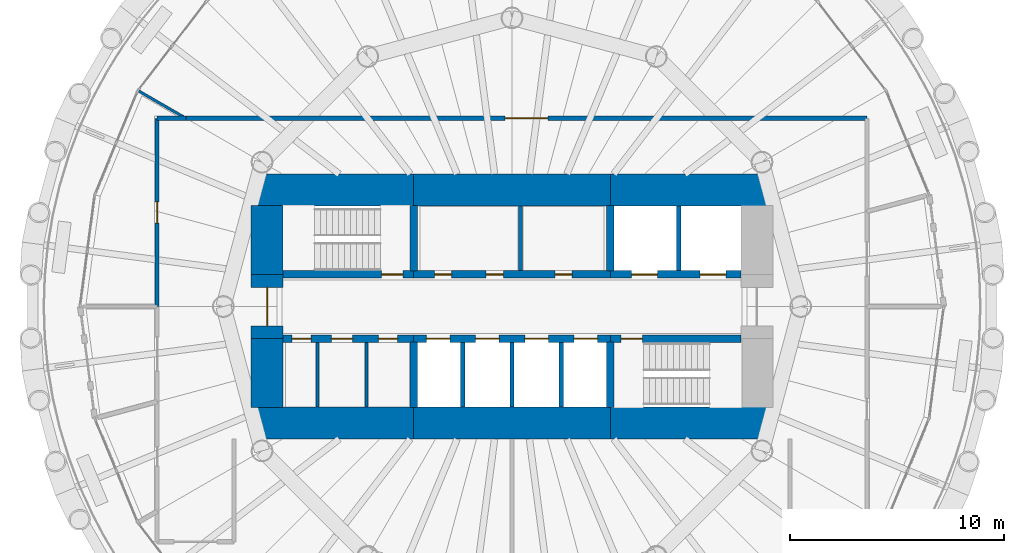
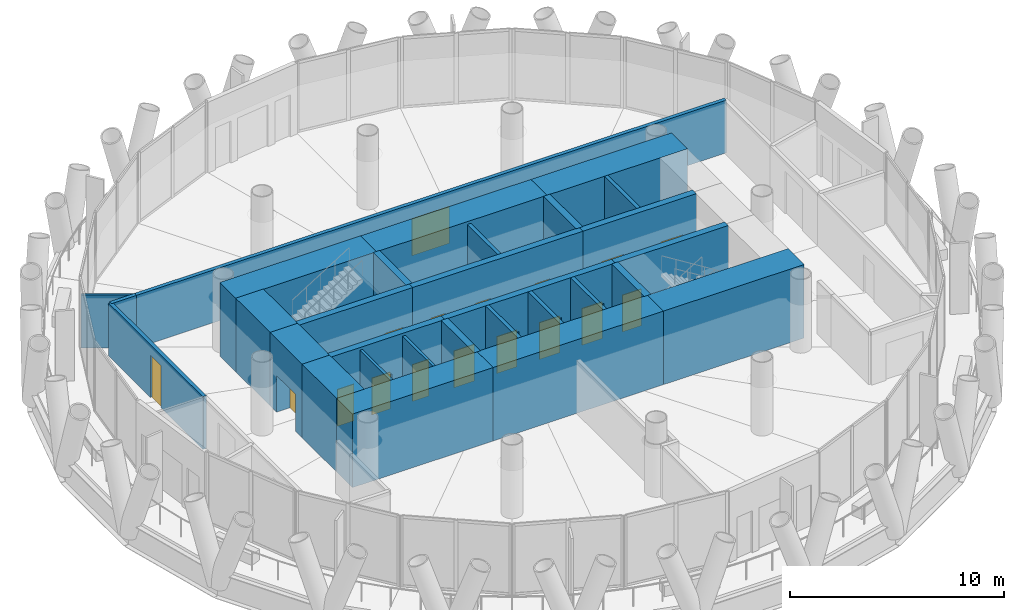
# One storey, part 9 of 13: 30 walls, 17 doors, 17 openings.
"""IFC4 building model written with IfcOpenShell, lengths in metres."""

from ifc_helpers import new_model, si_unit, direction, frame, frame_2d, origin, place, context, subcontext, project, spatial, rectangle, extrude, material, layer, layer_set, type_object, element, fill, save


model = new_model("IFC4")

# Units and contexts
model_context = context("Model", 3, precision=1e-05, world=origin(), true_north=direction((0.0, 1.0)))
body_context = subcontext(model_context, "Body", "Model", "MODEL_VIEW")
ifc_project = project(units=[si_unit("LENGTHUNIT", "METRE"), si_unit("AREAUNIT", "SQUARE_METRE"), si_unit("VOLUMEUNIT", "CUBIC_METRE"), si_unit("PLANEANGLEUNIT", "RADIAN"), si_unit("MASSUNIT", "GRAM", prefix="KILO")], contexts=[model_context])

# Site, building, storey
site_placement = place(None, origin())
site = spatial("IfcSite", under=ifc_project, at=site_placement, CompositionType="ELEMENT")
building_placement = place(site_placement, origin())
building = spatial("IfcBuilding", under=site, at=building_placement, Name="Qaws Media Tower", CompositionType="ELEMENT")
storey_placement = place(building_placement, frame((0.0, 0.0, 219.199951171875)))
storey = spatial("IfcBuildingStorey", under=building, at=storey_placement, Name="L50", CompositionType="ELEMENT", Elevation=219.199951171875)

# Wall, opening, door
ifc_material_1 = material(Name="Concrete C60/75", Category="concrete")
ifc_layer_1 = layer(ifc_material_1, 0.35009765625)
ifc_layer_set_1 = layer_set([ifc_layer_1], Name="Core inner wall 350")
wall_type_1 = type_object("IfcWallType", Name="Core inner wall 350", PredefinedType="SHEAR", material=ifc_layer_set_1)
wall_1_placement = place(storey_placement, frame((49.280029296875, 51.5, 0.0), z_axis=(0.0, 0.0, 1.0), x_axis=(1.0, 0.0, 0.0)))
wall_1 = element("IfcWall", 1, at=wall_1_placement, inside=storey, type_object=wall_type_1, Name="W301 SW5 core wall SPNW L50", PredefinedType="SHEAR", context=body_context, shape_type="SweptSolid", body=[
    extrude(rectangle(XDim=6.119873046875, YDim=0.35009765625, at=frame_2d((3.06005859375, 0.0))), origin(), (0.0, 0.0, 1.0), 4.199951171875),
])
opening_1_placement = place(wall_1_placement, frame((4.6201171875, 0.0, 0.0)))
opening_1 = element("IfcOpeningElement", 2, at=opening_1_placement, cuts=wall_1, Name="Opening D1", PredefinedType="OPENING", context=body_context, shape_type="SweptSolid", body=[
    extrude(rectangle(XDim=1.0, YDim=2.10009765625, at=frame_2d((0.5, 1.050048828125))), frame((0.0, 0.18505859375, 0.0), z_axis=(0.0, -1.0, 0.0), x_axis=(1.0, 0.0, 0.0)), (0.0, 0.0, 1.0), 0.3701171875),
])
ifc_material_2 = material(Name="Steel, fire rated", Category="steel")
door_type_1 = type_object("IfcDoorType", Name="Stair door 1000 FD120", OperationType="SINGLE_SWING_LEFT", PredefinedType="DOOR", material=ifc_material_2)
door_1_placement = place(opening_1_placement, origin())
door_1 = element("IfcDoor", 3, at=door_1_placement, inside=storey, type_object=door_type_1, Name="D1 stair S1 door L50 in wall W301", OperationType="SINGLE_SWING_LEFT", OverallHeight=2.10009765625, OverallWidth=1.0, PredefinedType="DOOR", context=body_context, shape_type="SweptSolid", body=[
    extrude(rectangle(XDim=1.0, YDim=2.10009765625, at=frame_2d((0.5, 1.050048828125))), frame((0.0, 0.02490234375, 0.0), z_axis=(0.0, -1.0, 0.0), x_axis=(1.0, 0.0, 0.0)), (0.0, 0.0, 1.0), 0.050048828125),
])
fill(opening_1, door_1)

# Wall, openings, doors
wall_2_placement = place(storey_placement, frame((55.39990234375, 51.5, 0.0), z_axis=(0.0, 0.0, 1.0), x_axis=(1.0, 0.0, 0.0)))
wall_2 = element("IfcWall", 4, at=wall_2_placement, inside=storey, type_object=wall_type_1, Name="W304 SW5 core wall SPN L50", PredefinedType="SHEAR", context=body_context, shape_type="SweptSolid", body=[
    extrude(rectangle(XDim=9.2001953125, YDim=0.35009765625, at=frame_2d((4.60009765625, 0.0))), origin(), (0.0, 0.0, 1.0), 4.199951171875),
])
opening_2_placement = place(wall_2_placement, frame((0.981689453125, 0.0, 0.0)))
opening_2 = element("IfcOpeningElement", 5, at=opening_2_placement, cuts=wall_2, Name="Opening D23", PredefinedType="OPENING", context=body_context, shape_type="SweptSolid", body=[
    extrude(rectangle(XDim=0.800048828125, YDim=2.10009765625, at=frame_2d((0.39990234375, 1.050048828125))), frame((0.0, 0.18505859375, 0.0), z_axis=(0.0, -1.0, 0.0), x_axis=(1.0, 0.0, 0.0)), (0.0, 0.0, 1.0), 0.3701171875),
])
opening_3_placement = place(wall_2_placement, frame((3.3955078125, 0.0, 0.0)))
opening_3 = element("IfcOpeningElement", 6, at=opening_3_placement, cuts=wall_2, Name="Opening D23", PredefinedType="OPENING", context=body_context, shape_type="SweptSolid", body=[
    extrude(rectangle(XDim=0.800048828125, YDim=2.10009765625, at=frame_2d((0.39990234375, 1.050048828125))), frame((0.0, 0.18505859375, 0.0), z_axis=(0.0, -1.0, 0.0), x_axis=(1.0, 0.0, 0.0)), (0.0, 0.0, 1.0), 0.3701171875),
])
opening_4_placement = place(wall_2_placement, frame((6.613525390625, 0.0, 0.0)))
opening_4 = element("IfcOpeningElement", 7, at=opening_4_placement, cuts=wall_2, Name="Opening D23", PredefinedType="OPENING", context=body_context, shape_type="SweptSolid", body=[
    extrude(rectangle(XDim=0.800048828125, YDim=2.10009765625, at=frame_2d((0.39990234375, 1.050048828125))), frame((0.0, 0.18505859375, 0.0), z_axis=(0.0, -1.0, 0.0), x_axis=(1.0, 0.0, 0.0)), (0.0, 0.0, 1.0), 0.3701171875),
])
ifc_material_3 = material(Name="Steel, fire rated", Category="steel")
door_type_2 = type_object("IfcDoorType", Name="Core room door 800x2100", OperationType="SINGLE_SWING_LEFT", PredefinedType="DOOR", material=ifc_material_3)
door_2_placement = place(opening_2_placement, origin())
door_2 = element("IfcDoor", 8, at=door_2_placement, inside=storey, type_object=door_type_2, Name="D23 Ladies toilets door L50 1 in wall W304", OperationType="SINGLE_SWING_LEFT", OverallHeight=2.10009765625, OverallWidth=0.800048828125, PredefinedType="DOOR", context=body_context, shape_type="SweptSolid", body=[
    extrude(rectangle(XDim=0.800048828125, YDim=2.10009765625, at=frame_2d((0.39990234375, 1.050048828125))), frame((0.0, 0.02490234375, 0.0), z_axis=(0.0, -1.0, 0.0), x_axis=(1.0, 0.0, 0.0)), (0.0, 0.0, 1.0), 0.050048828125),
])
fill(opening_2, door_2)
door_3_placement = place(opening_3_placement, origin())
door_3 = element("IfcDoor", 9, at=door_3_placement, inside=storey, type_object=door_type_2, Name="D23 Ladies toilets door L50 2 in wall W304", OperationType="SINGLE_SWING_LEFT", OverallHeight=2.10009765625, OverallWidth=0.800048828125, PredefinedType="DOOR", context=body_context, shape_type="SweptSolid", body=[
    extrude(rectangle(XDim=0.800048828125, YDim=2.10009765625, at=frame_2d((0.39990234375, 1.050048828125))), frame((0.0, 0.02490234375, 0.0), z_axis=(0.0, -1.0, 0.0), x_axis=(1.0, 0.0, 0.0)), (0.0, 0.0, 1.0), 0.050048828125),
])
fill(opening_3, door_3)
door_4_placement = place(opening_4_placement, origin())
door_4 = element("IfcDoor", 10, at=door_4_placement, inside=storey, type_object=door_type_2, Name="D23 Gents toilets door L50 in wall W304", OperationType="SINGLE_SWING_LEFT", OverallHeight=2.10009765625, OverallWidth=0.800048828125, PredefinedType="DOOR", context=body_context, shape_type="SweptSolid", body=[
    extrude(rectangle(XDim=0.800048828125, YDim=2.10009765625, at=frame_2d((0.39990234375, 1.050048828125))), frame((0.0, 0.02490234375, 0.0), z_axis=(0.0, -1.0, 0.0), x_axis=(1.0, 0.0, 0.0)), (0.0, 0.0, 1.0), 0.050048828125),
])
fill(opening_4, door_4)

wall_3_placement = place(storey_placement, frame((64.60009765625, 51.5, 0.0), z_axis=(0.0, 0.0, 1.0), x_axis=(1.0, 0.0, 0.0)))
wall_3 = element("IfcWall", 11, at=wall_3_placement, inside=storey, type_object=wall_type_1, Name="W308 SW5 core wall SPNE L50", PredefinedType="SHEAR", context=body_context, shape_type="SweptSolid", body=[
    extrude(rectangle(XDim=6.119873046875, YDim=0.35009765625, at=frame_2d((3.06005859375, 0.0))), origin(), (0.0, 0.0, 1.0), 4.199951171875),
])
opening_5_placement = place(wall_3_placement, frame((1.0, 0.0, 0.0)))
opening_5 = element("IfcOpeningElement", 12, at=opening_5_placement, cuts=wall_3, Name="Opening LD2", PredefinedType="OPENING", context=body_context, shape_type="SweptSolid", body=[
    extrude(rectangle(XDim=1.199951171875, YDim=2.10009765625, at=frame_2d((0.60009765625, 1.050048828125))), frame((0.0, 0.18505859375, 0.0), z_axis=(0.0, -1.0, 0.0), x_axis=(1.0, 0.0, 0.0)), (0.0, 0.0, 1.0), 0.3701171875),
])
opening_6_placement = place(wall_3_placement, frame((4.199951171875, 0.0, 0.0)))
opening_6 = element("IfcOpeningElement", 13, at=opening_6_placement, cuts=wall_3, Name="Opening LD2", PredefinedType="OPENING", context=body_context, shape_type="SweptSolid", body=[
    extrude(rectangle(XDim=1.199951171875, YDim=2.10009765625, at=frame_2d((0.60009765625, 1.050048828125))), frame((0.0, 0.18505859375, 0.0), z_axis=(0.0, -1.0, 0.0), x_axis=(1.0, 0.0, 0.0)), (0.0, 0.0, 1.0), 0.3701171875),
])
ifc_material_4 = material(Name="Steel, fire rated", Category="steel")
door_type_3 = type_object("IfcDoorType", Name="Lift landing door 1200", OperationType="SLIDING_TO_LEFT", PredefinedType="DOOR", material=ifc_material_4)
door_5_placement = place(opening_5_placement, origin())
door_5 = element("IfcDoor", 14, at=door_5_placement, inside=storey, type_object=door_type_3, Name="FL1 landing door L50 in wall W308", OperationType="SLIDING_TO_LEFT", OverallHeight=2.10009765625, OverallWidth=1.199951171875, PredefinedType="DOOR", context=body_context, shape_type="SweptSolid", body=[
    extrude(rectangle(XDim=1.199951171875, YDim=2.10009765625, at=frame_2d((0.60009765625, 1.050048828125))), frame((0.0, 0.02490234375, 0.0), z_axis=(0.0, -1.0, 0.0), x_axis=(1.0, 0.0, 0.0)), (0.0, 0.0, 1.0), 0.050048828125),
])
fill(opening_5, door_5)
door_6_placement = place(opening_6_placement, origin())
door_6 = element("IfcDoor", 15, at=door_6_placement, inside=storey, type_object=door_type_3, Name="FL2 landing door L50 in wall W308", OperationType="SLIDING_TO_LEFT", OverallHeight=2.10009765625, OverallWidth=1.199951171875, PredefinedType="DOOR", context=body_context, shape_type="SweptSolid", body=[
    extrude(rectangle(XDim=1.199951171875, YDim=2.10009765625, at=frame_2d((0.60009765625, 1.050048828125))), frame((0.0, 0.02490234375, 0.0), z_axis=(0.0, -1.0, 0.0), x_axis=(1.0, 0.0, 0.0)), (0.0, 0.0, 1.0), 0.050048828125),
])
fill(opening_6, door_6)

wall_4_placement = place(storey_placement, frame((49.280029296875, 48.5, 0.0), z_axis=(0.0, 0.0, 1.0), x_axis=(1.0, 0.0, 0.0)))
wall_4 = element("IfcWall", 16, at=wall_4_placement, inside=storey, type_object=wall_type_1, Name="W300 SW5 core wall SPSW L50", PredefinedType="SHEAR", context=body_context, shape_type="SweptSolid", body=[
    extrude(rectangle(XDim=6.119873046875, YDim=0.35009765625, at=frame_2d((3.06005859375, 0.0))), origin(), (0.0, 0.0, 1.0), 4.199951171875),
])
opening_7_placement = place(wall_4_placement, frame((0.419921875, 0.0, 0.0)))
opening_7 = element("IfcOpeningElement", 17, at=opening_7_placement, cuts=wall_4, Name="Opening D25", PredefinedType="OPENING", context=body_context, shape_type="SweptSolid", body=[
    extrude(rectangle(XDim=0.89990234375, YDim=2.10009765625, at=frame_2d((0.449951171875, 1.050048828125))), frame((0.0, 0.18505859375, 0.0), z_axis=(0.0, -1.0, 0.0), x_axis=(1.0, 0.0, 0.0)), (0.0, 0.0, 1.0), 0.3701171875),
])
opening_8_placement = place(wall_4_placement, frame((2.27001953125, 0.0, 0.0)))
opening_8 = element("IfcOpeningElement", 18, at=opening_8_placement, cuts=wall_4, Name="Opening D4", PredefinedType="OPENING", context=body_context, shape_type="SweptSolid", body=[
    extrude(rectangle(XDim=1.0, YDim=2.10009765625, at=frame_2d((0.5, 1.050048828125))), frame((0.0, 0.18505859375, 0.0), z_axis=(0.0, -1.0, 0.0), x_axis=(1.0, 0.0, 0.0)), (0.0, 0.0, 1.0), 0.3701171875),
])
opening_9_placement = place(wall_4_placement, frame((4.469970703125, 0.0, 0.0)))
opening_9 = element("IfcOpeningElement", 19, at=opening_9_placement, cuts=wall_4, Name="Opening D25", PredefinedType="OPENING", context=body_context, shape_type="SweptSolid", body=[
    extrude(rectangle(XDim=0.89990234375, YDim=2.10009765625, at=frame_2d((0.449951171875, 1.050048828125))), frame((0.0, 0.18505859375, 0.0), z_axis=(0.0, -1.0, 0.0), x_axis=(1.0, 0.0, 0.0)), (0.0, 0.0, 1.0), 0.3701171875),
])
ifc_material_5 = material(Name="Timber veneered", Category="wood")
door_type_4 = type_object("IfcDoorType", Name="Accessible WC door 1000", OperationType="SLIDING_TO_LEFT", PredefinedType="DOOR", material=ifc_material_5)
door_7_placement = place(opening_8_placement, origin())
door_7 = element("IfcDoor", 20, at=door_7_placement, inside=storey, type_object=door_type_4, Name="D4 toilet door 2 L50 in wall W300", OperationType="SLIDING_TO_LEFT", OverallHeight=2.10009765625, OverallWidth=1.0, PredefinedType="DOOR", context=body_context, shape_type="SweptSolid", body=[
    extrude(rectangle(XDim=1.0, YDim=2.10009765625, at=frame_2d((0.5, 1.050048828125))), frame((0.0, 0.02490234375, 0.0), z_axis=(0.0, -1.0, 0.0), x_axis=(1.0, 0.0, 0.0)), (0.0, 0.0, 1.0), 0.050048828125),
])
fill(opening_8, door_7)
ifc_material_6 = material(Name="Steel, fire rated", Category="steel")
door_type_5 = type_object("IfcDoorType", Name="Core service door 900", OperationType="SINGLE_SWING_RIGHT", PredefinedType="DOOR", material=ifc_material_6)
door_8_placement = place(opening_7_placement, origin())
door_8 = element("IfcDoor", 21, at=door_8_placement, inside=storey, type_object=door_type_5, Name="D25 toilet door 1 L50 in wall W300", OperationType="SINGLE_SWING_RIGHT", OverallHeight=2.10009765625, OverallWidth=0.89990234375, PredefinedType="DOOR", context=body_context, shape_type="SweptSolid", body=[
    extrude(rectangle(XDim=0.89990234375, YDim=2.10009765625, at=frame_2d((0.449951171875, 1.050048828125))), frame((0.0, 0.02490234375, 0.0), z_axis=(0.0, -1.0, 0.0), x_axis=(1.0, 0.0, 0.0)), (0.0, 0.0, 1.0), 0.050048828125),
])
fill(opening_7, door_8)
door_9_placement = place(opening_9_placement, origin())
door_9 = element("IfcDoor", 22, at=door_9_placement, inside=storey, type_object=door_type_5, Name="D25 toilet door 3 L50 in wall W300", OperationType="SINGLE_SWING_RIGHT", OverallHeight=2.10009765625, OverallWidth=0.89990234375, PredefinedType="DOOR", context=body_context, shape_type="SweptSolid", body=[
    extrude(rectangle(XDim=0.89990234375, YDim=2.10009765625, at=frame_2d((0.449951171875, 1.050048828125))), frame((0.0, 0.02490234375, 0.0), z_axis=(0.0, -1.0, 0.0), x_axis=(1.0, 0.0, 0.0)), (0.0, 0.0, 1.0), 0.050048828125),
])
fill(opening_9, door_9)

wall_5_placement = place(storey_placement, frame((55.39990234375, 48.5, 0.0), z_axis=(0.0, 0.0, 1.0), x_axis=(1.0, 0.0, 0.0)))
wall_5 = element("IfcWall", 23, at=wall_5_placement, inside=storey, type_object=wall_type_1, Name="W303 SW5 core wall SPS L50", PredefinedType="SHEAR", context=body_context, shape_type="SweptSolid", body=[
    extrude(rectangle(XDim=9.2001953125, YDim=0.35009765625, at=frame_2d((4.60009765625, 0.0))), origin(), (0.0, 0.0, 1.0), 4.199951171875),
])
opening_10_placement = place(wall_5_placement, frame((0.60009765625, 0.0, 0.0)))
opening_10 = element("IfcOpeningElement", 24, at=opening_10_placement, cuts=wall_5, Name="Opening LD", PredefinedType="OPENING", context=body_context, shape_type="SweptSolid", body=[
    extrude(rectangle(XDim=1.10009765625, YDim=2.10009765625, at=frame_2d((0.550048828125, 1.050048828125))), frame((0.0, 0.18505859375, 0.0), z_axis=(0.0, -1.0, 0.0), x_axis=(1.0, 0.0, 0.0)), (0.0, 0.0, 1.0), 0.3701171875),
])
opening_11_placement = place(wall_5_placement, frame((2.89990234375, 0.0, 0.0)))
opening_11 = element("IfcOpeningElement", 25, at=opening_11_placement, cuts=wall_5, Name="Opening LD", PredefinedType="OPENING", context=body_context, shape_type="SweptSolid", body=[
    extrude(rectangle(XDim=1.10009765625, YDim=2.10009765625, at=frame_2d((0.550048828125, 1.050048828125))), frame((0.0, 0.18505859375, 0.0), z_axis=(0.0, -1.0, 0.0), x_axis=(1.0, 0.0, 0.0)), (0.0, 0.0, 1.0), 0.3701171875),
])
opening_12_placement = place(wall_5_placement, frame((5.199951171875, 0.0, 0.0)))
opening_12 = element("IfcOpeningElement", 26, at=opening_12_placement, cuts=wall_5, Name="Opening LD", PredefinedType="OPENING", context=body_context, shape_type="SweptSolid", body=[
    extrude(rectangle(XDim=1.10009765625, YDim=2.10009765625, at=frame_2d((0.550048828125, 1.050048828125))), frame((0.0, 0.18505859375, 0.0), z_axis=(0.0, -1.0, 0.0), x_axis=(1.0, 0.0, 0.0)), (0.0, 0.0, 1.0), 0.3701171875),
])
opening_13_placement = place(wall_5_placement, frame((7.5, 0.0, 0.0)))
opening_13 = element("IfcOpeningElement", 27, at=opening_13_placement, cuts=wall_5, Name="Opening LD", PredefinedType="OPENING", context=body_context, shape_type="SweptSolid", body=[
    extrude(rectangle(XDim=1.10009765625, YDim=2.10009765625, at=frame_2d((0.550048828125, 1.050048828125))), frame((0.0, 0.18505859375, 0.0), z_axis=(0.0, -1.0, 0.0), x_axis=(1.0, 0.0, 0.0)), (0.0, 0.0, 1.0), 0.3701171875),
])
ifc_material_7 = material(Name="Steel, fire rated", Category="steel")
door_type_6 = type_object("IfcDoorType", Name="Lift landing door 1100", OperationType="SLIDING_TO_LEFT", PredefinedType="DOOR", material=ifc_material_7)
door_10_placement = place(opening_10_placement, origin())
door_10 = element("IfcDoor", 28, at=door_10_placement, inside=storey, type_object=door_type_6, Name="P5 landing door L50 in wall W303", OperationType="SLIDING_TO_LEFT", OverallHeight=2.10009765625, OverallWidth=1.10009765625, PredefinedType="DOOR", context=body_context, shape_type="SweptSolid", body=[
    extrude(rectangle(XDim=1.10009765625, YDim=2.10009765625, at=frame_2d((0.550048828125, 1.050048828125))), frame((0.0, 0.02490234375, 0.0), z_axis=(0.0, -1.0, 0.0), x_axis=(1.0, 0.0, 0.0)), (0.0, 0.0, 1.0), 0.050048828125),
])
fill(opening_10, door_10)
door_11_placement = place(opening_11_placement, origin())
door_11 = element("IfcDoor", 29, at=door_11_placement, inside=storey, type_object=door_type_6, Name="P6 landing door L50 in wall W303", OperationType="SLIDING_TO_LEFT", OverallHeight=2.10009765625, OverallWidth=1.10009765625, PredefinedType="DOOR", context=body_context, shape_type="SweptSolid", body=[
    extrude(rectangle(XDim=1.10009765625, YDim=2.10009765625, at=frame_2d((0.550048828125, 1.050048828125))), frame((0.0, 0.02490234375, 0.0), z_axis=(0.0, -1.0, 0.0), x_axis=(1.0, 0.0, 0.0)), (0.0, 0.0, 1.0), 0.050048828125),
])
fill(opening_11, door_11)
door_12_placement = place(opening_12_placement, origin())
door_12 = element("IfcDoor", 30, at=door_12_placement, inside=storey, type_object=door_type_6, Name="P7 landing door L50 in wall W303", OperationType="SLIDING_TO_LEFT", OverallHeight=2.10009765625, OverallWidth=1.10009765625, PredefinedType="DOOR", context=body_context, shape_type="SweptSolid", body=[
    extrude(rectangle(XDim=1.10009765625, YDim=2.10009765625, at=frame_2d((0.550048828125, 1.050048828125))), frame((0.0, 0.02490234375, 0.0), z_axis=(0.0, -1.0, 0.0), x_axis=(1.0, 0.0, 0.0)), (0.0, 0.0, 1.0), 0.050048828125),
])
fill(opening_12, door_12)
door_13_placement = place(opening_13_placement, origin())
door_13 = element("IfcDoor", 31, at=door_13_placement, inside=storey, type_object=door_type_6, Name="P8 landing door L50 in wall W303", OperationType="SLIDING_TO_LEFT", OverallHeight=2.10009765625, OverallWidth=1.10009765625, PredefinedType="DOOR", context=body_context, shape_type="SweptSolid", body=[
    extrude(rectangle(XDim=1.10009765625, YDim=2.10009765625, at=frame_2d((0.550048828125, 1.050048828125))), frame((0.0, 0.02490234375, 0.0), z_axis=(0.0, -1.0, 0.0), x_axis=(1.0, 0.0, 0.0)), (0.0, 0.0, 1.0), 0.050048828125),
])
fill(opening_13, door_13)

# Wall, opening, door
wall_6_placement = place(storey_placement, frame((64.60009765625, 48.5, 0.0), z_axis=(0.0, 0.0, 1.0), x_axis=(1.0, 0.0, 0.0)))
wall_6 = element("IfcWall", 32, at=wall_6_placement, inside=storey, type_object=wall_type_1, Name="W307 SW5 core wall SPSE L50", PredefinedType="SHEAR", context=body_context, shape_type="SweptSolid", body=[
    extrude(rectangle(XDim=6.119873046875, YDim=0.35009765625, at=frame_2d((3.06005859375, 0.0))), origin(), (0.0, 0.0, 1.0), 4.199951171875),
])
opening_14_placement = place(wall_6_placement, frame((0.5, 0.0, 0.0)))
opening_14 = element("IfcOpeningElement", 33, at=opening_14_placement, cuts=wall_6, Name="Opening D1", PredefinedType="OPENING", context=body_context, shape_type="SweptSolid", body=[
    extrude(rectangle(XDim=1.0, YDim=2.10009765625, at=frame_2d((0.5, 1.050048828125))), frame((0.0, 0.18505859375, 0.0), z_axis=(0.0, -1.0, 0.0), x_axis=(1.0, 0.0, 0.0)), (0.0, 0.0, 1.0), 0.3701171875),
])
door_14_placement = place(opening_14_placement, origin())
door_14 = element("IfcDoor", 34, at=door_14_placement, inside=storey, type_object=door_type_1, Name="D1 stair S2 door L50 in wall W307", OperationType="SINGLE_SWING_LEFT", OverallHeight=2.10009765625, OverallWidth=1.0, PredefinedType="DOOR", context=body_context, shape_type="SweptSolid", body=[
    extrude(rectangle(XDim=1.0, YDim=2.10009765625, at=frame_2d((0.5, 1.050048828125))), frame((0.0, 0.02490234375, 0.0), z_axis=(0.0, -1.0, 0.0), x_axis=(1.0, 0.0, 0.0)), (0.0, 0.0, 1.0), 0.050048828125),
])
fill(opening_14, door_14)

# Walls
for number, where, z_axis, x_axis, name in (
    (35, (55.39990234375, 51.655029296875, 0.0), (0.0, 0.0, 1.0), (0.0, 1.0, 0.0), "W305 SW5 core wall XNW L50"),
    (36, (64.60009765625, 51.655029296875, 0.0), (0.0, 0.0, 1.0), (0.0, 1.0, 0.0), "W309 SW5 core wall XNE L50"),
    (37, (55.39990234375, 48.344970703125, 0.0), (0.0, 0.0, 1.0), (0.0, -1.0, 0.0), "W302 SW5 core wall XSW L50"),
    (38, (64.60009765625, 48.344970703125, 0.0), (0.0, 0.0, 1.0), (0.0, -1.0, 0.0), "W306 SW5 core wall XSE L50"),
):
    element("IfcWall", number, at=place(storey_placement, frame(where, z_axis=z_axis, x_axis=x_axis)), inside=storey, type_object=wall_type_1, Name=name, PredefinedType="SHEAR", context=body_context, shape_type="SweptSolid", body=[
        extrude(rectangle(XDim=3.06494140625, YDim=0.35009765625, at=frame_2d((1.532470703125, 0.0))), origin(), (0.0, 0.0, 1.0), 4.199951171875),
    ])
ifc_material_8 = material(Name="Concrete C60/75", Category="concrete")
ifc_layer_2 = layer(ifc_material_8, 1.5)
ifc_layer_set_2 = layer_set([ifc_layer_2], Name="Core wall 1500")
wall_type_2 = type_object("IfcWallType", Name="Core wall 1500", PredefinedType="SHEAR", material=ifc_layer_set_2)
wall_7_placement = place(storey_placement, frame((47.800048828125, 55.449951171875, 0.0), z_axis=(0.0, 0.0, 1.0), x_axis=(1.0, 0.0, 0.0)))
element("IfcWall", 39, at=wall_7_placement, inside=storey, type_object=wall_type_2, Name="W377 SW13 core wall NW L50", PredefinedType="SHEAR", context=body_context, shape_type="SweptSolid", body=[
    extrude(rectangle(XDim=7.599853515625, YDim=1.5, at=frame_2d((3.7998046875, 0.0))), origin(), (0.0, 0.0, 1.0), 4.199951171875),
])
wall_8_placement = place(storey_placement, frame((55.39990234375, 55.449951171875, 0.0), z_axis=(0.0, 0.0, 1.0), x_axis=(1.0, 0.0, 0.0)))
element("IfcWall", 40, at=wall_8_placement, inside=storey, type_object=wall_type_2, Name="W373 SW13 core wall N L50", PredefinedType="SHEAR", context=body_context, shape_type="SweptSolid", body=[
    extrude(rectangle(XDim=9.2001953125, YDim=1.5, at=frame_2d((4.60009765625, 0.0))), origin(), (0.0, 0.0, 1.0), 4.199951171875),
])
for number, where, z_axis, x_axis, name in (
    (41, (64.60009765625, 55.449951171875, 0.0), (0.0, 0.0, 1.0), (1.0, 0.0, 0.0), "W382 SW13 core wall NE L50"),
    (42, (47.800048828125, 44.550048828125, 0.0), (0.0, 0.0, 1.0), (1.0, 0.0, 0.0), "W376 SW13 core wall SW L50"),
):
    element("IfcWall", number, at=place(storey_placement, frame(where, z_axis=z_axis, x_axis=x_axis)), inside=storey, type_object=wall_type_2, Name=name, PredefinedType="SHEAR", context=body_context, shape_type="SweptSolid", body=[
        extrude(rectangle(XDim=7.599853515625, YDim=1.5, at=frame_2d((3.7998046875, 0.0))), origin(), (0.0, 0.0, 1.0), 4.199951171875),
    ])
wall_9_placement = place(storey_placement, frame((55.39990234375, 44.550048828125, 0.0), z_axis=(0.0, 0.0, 1.0), x_axis=(1.0, 0.0, 0.0)))
element("IfcWall", 43, at=wall_9_placement, inside=storey, type_object=wall_type_2, Name="W372 SW13 core wall S L50", PredefinedType="SHEAR", context=body_context, shape_type="SweptSolid", body=[
    extrude(rectangle(XDim=9.2001953125, YDim=1.5, at=frame_2d((4.60009765625, 0.0))), origin(), (0.0, 0.0, 1.0), 4.199951171875),
])
wall_10_placement = place(storey_placement, frame((64.60009765625, 44.550048828125, 0.0), z_axis=(0.0, 0.0, 1.0), x_axis=(1.0, 0.0, 0.0)))
element("IfcWall", 44, at=wall_10_placement, inside=storey, type_object=wall_type_2, Name="W381 SW13 core wall SE L50", PredefinedType="SHEAR", context=body_context, shape_type="SweptSolid", body=[
    extrude(rectangle(XDim=7.599853515625, YDim=1.5, at=frame_2d((3.7998046875, 0.0))), origin(), (0.0, 0.0, 1.0), 4.199951171875),
])
wall_11_placement = place(storey_placement, frame((48.550048828125, 45.280029296875, 0.0), z_axis=(0.0, 0.0, 1.0), x_axis=(0.0, 1.0, 0.0)))
element("IfcWall", 45, at=wall_11_placement, inside=storey, type_object=wall_type_2, Name="W378 SW13 core wall WS L50", PredefinedType="SHEAR", context=body_context, shape_type="SweptSolid", body=[
    extrude(rectangle(XDim=3.219970703125, YDim=1.5, at=frame_2d((1.60986328125, 0.0))), origin(), (0.0, 0.0, 1.0), 4.199951171875),
])

# Wall, opening, door
wall_12_placement = place(storey_placement, frame((48.550048828125, 48.5, 0.0), z_axis=(0.0, 0.0, 1.0), x_axis=(0.0, 1.0, 0.0)))
wall_12 = element("IfcWall", 46, at=wall_12_placement, inside=storey, type_object=wall_type_2, Name="W379 SW13 core wall W L50", PredefinedType="SHEAR", context=body_context, shape_type="SweptSolid", body=[
    extrude(rectangle(XDim=3.0, YDim=1.5, at=frame_2d((1.5, 0.0))), origin(), (0.0, 0.0, 1.0), 4.199951171875),
])
opening_15_placement = place(wall_12_placement, frame((0.60009765625, 0.0, 0.0)))
opening_15 = element("IfcOpeningElement", 47, at=opening_15_placement, cuts=wall_12, Name="Opening D2", PredefinedType="OPENING", context=body_context, shape_type="SweptSolid", body=[
    extrude(rectangle(XDim=1.800048828125, YDim=2.10009765625, at=frame_2d((0.89990234375, 1.050048828125))), frame((0.0, 0.760009765625, 0.0), z_axis=(0.0, -1.0, 0.0), x_axis=(1.0, 0.0, 0.0)), (0.0, 0.0, 1.0), 1.52001953125),
])
ifc_material_9 = material(Name="Steel and glass, fire rated", Category="steel")
door_type_7 = type_object("IfcDoorType", Name="Lobby door pair 1800 FD60", OperationType="DOUBLE_DOOR_DOUBLE_SWING", PredefinedType="DOOR", material=ifc_material_9)
door_15_placement = place(opening_15_placement, origin())
door_15 = element("IfcDoor", 48, at=door_15_placement, inside=storey, type_object=door_type_7, Name="D2 core lobby door W L50 in wall W379", OperationType="DOUBLE_DOOR_DOUBLE_SWING", OverallHeight=2.10009765625, OverallWidth=1.800048828125, PredefinedType="DOOR", context=body_context, shape_type="SweptSolid", body=[
    extrude(rectangle(XDim=1.800048828125, YDim=2.10009765625, at=frame_2d((0.89990234375, 1.050048828125))), frame((0.0, 0.02490234375, 0.0), z_axis=(0.0, -1.0, 0.0), x_axis=(1.0, 0.0, 0.0)), (0.0, 0.0, 1.0), 0.050048828125),
])
fill(opening_15, door_15)

# Walls
wall_13_placement = place(storey_placement, frame((48.550048828125, 51.5, 0.0), z_axis=(0.0, 0.0, 1.0), x_axis=(0.0, 1.0, 0.0)))
element("IfcWall", 49, at=wall_13_placement, inside=storey, type_object=wall_type_2, Name="W380 SW13 core wall WN L50", PredefinedType="SHEAR", context=body_context, shape_type="SweptSolid", body=[
    extrude(rectangle(XDim=3.219970703125, YDim=1.5, at=frame_2d((1.60986328125, 0.0))), origin(), (0.0, 0.0, 1.0), 4.199951171875),
])
ifc_material_10 = material(Name="Two layers gypsum board each side on 75 studs, insulated", Category="gypsum")
ifc_layer_3 = layer(ifc_material_10, 0.125)
ifc_layer_set_3 = layer_set([ifc_layer_3], Name="Meeting room partition 125 Rw 48")
wall_type_3 = type_object("IfcWallType", Name="Meeting room partition 125 Rw 48", PredefinedType="PARTITIONING", material=ifc_layer_set_3)
wall_14_placement = place(storey_placement, frame((44.758056640625, 58.800048828125, 0.0), z_axis=(0.0, 0.0, 1.0), x_axis=(-0.866022009101, 0.500005879718, 0.0)))
element("IfcWall", 50, at=wall_14_placement, inside=storey, type_object=wall_type_3, Name="W604 IW5 partition L50", PredefinedType="PARTITIONING", context=body_context, shape_type="SweptSolid", body=[
    extrude(rectangle(XDim=2.56005859375, YDim=0.125, at=frame_2d((1.280029296875, 0.0))), origin(), (0.0, 0.0, 1.0), 3.011962890625),
])
ifc_material_11 = material(Name="Gypsum board on galvanised metal studs, acoustic double stud, deflection head", Category="gypsum")
ifc_layer_4 = layer(ifc_material_11, 0.199951171875)
ifc_layer_set_4 = layer_set([ifc_layer_4], Name="Room partition 200")
wall_type_4 = type_object("IfcWallType", Name="Room partition 200", PredefinedType="PARTITIONING", material=ifc_layer_set_4)
wall_15_placement = place(storey_placement, frame((43.39990234375, 58.800048828125, 0.0), z_axis=(0.0, 0.0, 1.0), x_axis=(1.0, 0.0, 0.0)))
element("IfcWall", 51, at=wall_15_placement, inside=storey, type_object=wall_type_4, Name="W1582 IW3 partition L50", PredefinedType="PARTITIONING", context=body_context, shape_type="SweptSolid", body=[
    extrude(rectangle(XDim=1.358154296875, YDim=0.199951171875, at=frame_2d((0.67919921875, 0.0))), origin(), (0.0, 0.0, 1.0), 3.011962890625),
])

# Wall, opening, door
wall_16_placement = place(storey_placement, frame((44.758056640625, 58.800048828125, 0.0), z_axis=(0.0, 0.0, 1.0), x_axis=(1.0, 0.0, 0.0)))
wall_16 = element("IfcWall", 52, at=wall_16_placement, inside=storey, type_object=wall_type_4, Name="W1569 IW3 partition L50", PredefinedType="PARTITIONING", context=body_context, shape_type="SweptSolid", body=[
    extrude(rectangle(XDim=31.842041015625, YDim=0.199951171875, at=frame_2d((15.9208984375, 0.0))), origin(), (0.0, 0.0, 1.0), 3.011962890625),
])
opening_16_placement = place(wall_16_placement, frame((14.9208984375, 0.0, 0.0)))
opening_16 = element("IfcOpeningElement", 53, at=opening_16_placement, cuts=wall_16, Name="Opening D6", PredefinedType="OPENING", context=body_context, shape_type="SweptSolid", body=[
    extrude(rectangle(XDim=2.0, YDim=2.10009765625, at=frame_2d((1.0, 1.050048828125))), frame((0.0, 0.10986328125, 0.0), z_axis=(0.0, -1.0, 0.0), x_axis=(1.0, 0.0, 0.0)), (0.0, 0.0, 1.0), 0.219970703125),
])
ifc_material_12 = material(Name="Steel, acoustic, fire rated", Category="steel")
door_type_8 = type_object("IfcDoorType", Name="Room door pair 2000", OperationType="DOUBLE_DOOR_DOUBLE_SWING", PredefinedType="DOOR", material=ifc_material_12)
door_16_placement = place(opening_16_placement, origin())
door_16 = element("IfcDoor", 54, at=door_16_placement, inside=storey, type_object=door_type_8, Name="D6 Tenant office door L50 in wall W1569", OperationType="DOUBLE_DOOR_DOUBLE_SWING", OverallHeight=2.10009765625, OverallWidth=2.0, PredefinedType="DOOR", context=body_context, shape_type="SweptSolid", body=[
    extrude(rectangle(XDim=2.0, YDim=2.10009765625, at=frame_2d((1.0, 1.050048828125))), frame((0.0, 0.02490234375, 0.0), z_axis=(0.0, -1.0, 0.0), x_axis=(1.0, 0.0, 0.0)), (0.0, 0.0, 1.0), 0.050048828125),
])
fill(opening_16, door_16)

wall_17_placement = place(storey_placement, frame((43.39990234375, 50.0, 0.0), z_axis=(0.0, 0.0, 1.0), x_axis=(0.0, 1.0, 0.0)))
wall_17 = element("IfcWall", 55, at=wall_17_placement, inside=storey, type_object=wall_type_4, Name="W1565 IW3 partition L50", PredefinedType="PARTITIONING", context=body_context, shape_type="SweptSolid", body=[
    extrude(rectangle(XDim=8.800048828125, YDim=0.199951171875, at=frame_2d((4.39990234375, 0.0))), origin(), (0.0, 0.0, 1.0), 3.011962890625),
])
opening_17_placement = place(wall_17_placement, frame((3.89990234375, 0.0, 0.0)))
opening_17 = element("IfcOpeningElement", 56, at=opening_17_placement, cuts=wall_17, Name="Opening D13", PredefinedType="OPENING", context=body_context, shape_type="SweptSolid", body=[
    extrude(rectangle(XDim=1.0, YDim=2.39990234375, at=frame_2d((0.5, 1.199951171875))), frame((0.0, 0.10986328125, 0.0), z_axis=(0.0, -1.0, 0.0), x_axis=(1.0, 0.0, 0.0)), (0.0, 0.0, 1.0), 0.219970703125),
])
ifc_material_13 = material(Name="Frameless toughened glass, acoustic seals", Category="glass")
door_type_9 = type_object("IfcDoorType", Name="Glazed meeting room door 1000x2400", OperationType="SINGLE_SWING_LEFT", PredefinedType="DOOR", material=ifc_material_13)
door_17_placement = place(opening_17_placement, origin())
door_17 = element("IfcDoor", 57, at=door_17_placement, inside=storey, type_object=door_type_9, Name="D13 Meeting room door L50 in wall W1565", OperationType="SINGLE_SWING_LEFT", OverallHeight=2.39990234375, OverallWidth=1.0, PredefinedType="DOOR", context=body_context, shape_type="SweptSolid", body=[
    extrude(rectangle(XDim=1.0, YDim=2.39990234375, at=frame_2d((0.5, 1.199951171875))), frame((0.0, 0.02490234375, 0.0), z_axis=(0.0, -1.0, 0.0), x_axis=(1.0, 0.0, 0.0)), (0.0, 0.0, 1.0), 0.050048828125),
])
fill(opening_17, door_17)

# Walls
wall_18_placement = place(storey_placement, frame((60.40234375, 51.675048828125, 0.0), z_axis=(0.0, 0.0, 1.0), x_axis=(0.0, 1.0, 0.0)))
element("IfcWall", 58, at=wall_18_placement, inside=storey, type_object=wall_type_4, Name="W1574 IW3 core room partition 1 L50", PredefinedType="PARTITIONING", context=body_context, shape_type="SweptSolid", body=[
    extrude(rectangle(XDim=3.02490234375, YDim=0.199951171875, at=frame_2d((1.512451171875, 0.0))), origin(), (0.0, 0.0, 1.0), 4.0400390625),
])
ifc_material_14 = material(Name="Fire-rated gypsum board shaft wall on galvanised metal studs, deflection head", Category="gypsum")
ifc_layer_5 = layer(ifc_material_14, 0.199951171875)
ifc_layer_set_5 = layer_set([ifc_layer_5], Name="Shaft wall 200")
wall_type_5 = type_object("IfcWallType", Name="Shaft wall 200", PredefinedType="PARTITIONING", material=ifc_layer_set_5)
for number, where, z_axis, x_axis, name in (
    (59, (57.699951171875, 45.300048828125, 0.0), (0.0, 0.0, 1.0), (0.0, 1.0, 0.0), "W1871 IW1 shaft wall S1 L50"),
    (60, (60.0, 45.300048828125, 0.0), (0.0, 0.0, 1.0), (0.0, 1.0, 0.0), "W1872 IW1 shaft wall S2 L50"),
    (61, (62.300048828125, 45.300048828125, 0.0), (0.0, 0.0, 1.0), (0.0, 1.0, 0.0), "W1873 IW1 shaft wall S3 L50"),
    (62, (67.800048828125, 51.675048828125, 0.0), (0.0, 0.0, 1.0), (0.0, 1.0, 0.0), "W1874 IW1 shaft wall FL L50"),
):
    element("IfcWall", number, at=place(storey_placement, frame(where, z_axis=z_axis, x_axis=x_axis)), inside=storey, type_object=wall_type_5, Name=name, PredefinedType="PARTITIONING", context=body_context, shape_type="SweptSolid", body=[
        extrude(rectangle(XDim=3.02490234375, YDim=0.199951171875, at=frame_2d((1.512451171875, 0.0))), origin(), (0.0, 0.0, 1.0), 4.199951171875),
    ])
ifc_material_15 = material(Name="Gypsum board on galvanised metal studs, deflection head", Category="gypsum")
ifc_layer_6 = layer(ifc_material_15, 0.14990234375)
ifc_layer_set_6 = layer_set([ifc_layer_6], Name="WC partition 150")
wall_type_6 = type_object("IfcWallType", Name="WC partition 150", PredefinedType="PARTITIONING", material=ifc_layer_set_6)
for number, where, z_axis, x_axis, name in (
    (63, (50.89990234375, 45.300048828125, 0.0), (0.0, 0.0, 1.0), (0.0, 1.0, 0.0), "W1923 IW2 toilet partition 1 L50"),
    (64, (53.199951171875, 45.300048828125, 0.0), (0.0, 0.0, 1.0), (0.0, 1.0, 0.0), "W1924 IW2 toilet partition 2 L50"),
):
    element("IfcWall", number, at=place(storey_placement, frame(where, z_axis=z_axis, x_axis=x_axis)), inside=storey, type_object=wall_type_6, Name=name, PredefinedType="PARTITIONING", context=body_context, shape_type="SweptSolid", body=[
        extrude(rectangle(XDim=3.02490234375, YDim=0.14990234375, at=frame_2d((1.512451171875, 0.0))), origin(), (0.0, 0.0, 1.0), 4.0400390625),
    ])

save(model, "model.ifc")
